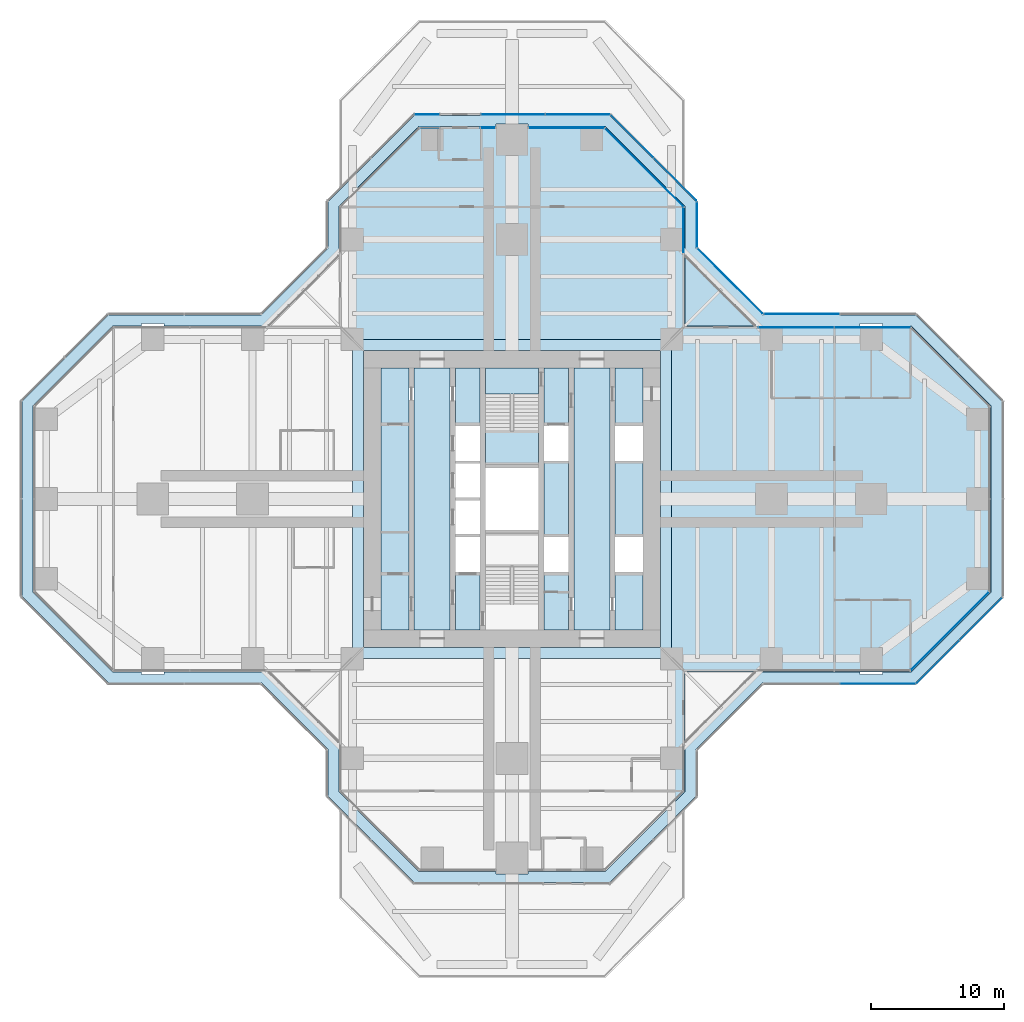
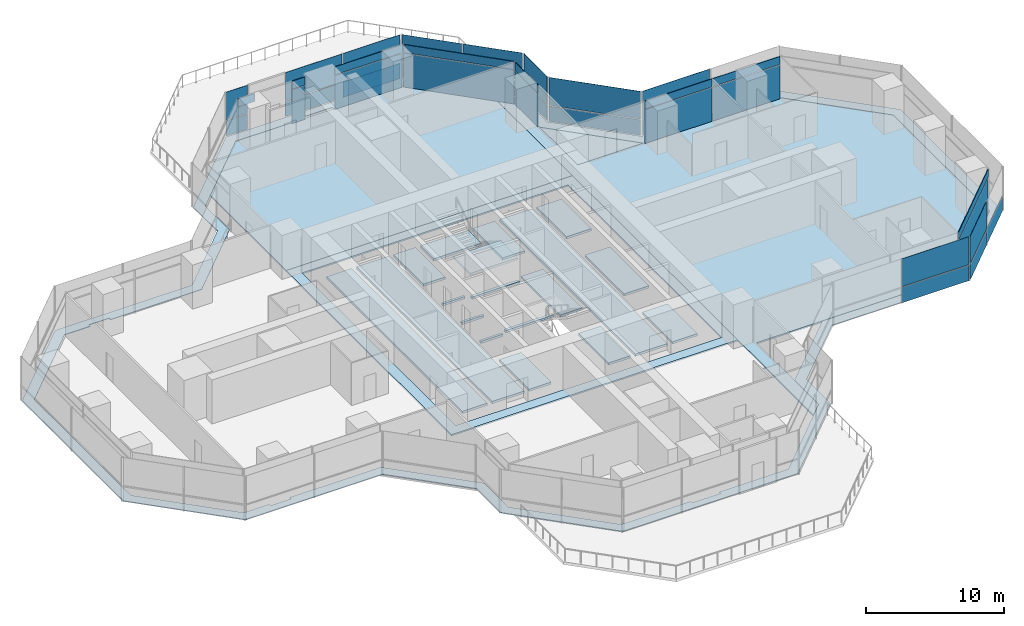
# One storey, part 15 of 21: 37 plates, 7 slabs, 16 elements without a shape of their own.
"""IFC4 building model written with IfcOpenShell, lengths in metres."""

from ifc_helpers import new_model, si_unit, direction, frame, origin, origin_2d, place, context, subcontext, project, spatial, polyline, rectangle, outline, extrude, material, layer, layer_set, type_object, element, aggregate, save


model = new_model("IFC4")

# Units and contexts
model_context = context("Model", 3, precision=1e-05, world=origin(), true_north=direction((0.0, 1.0)))
body_context = subcontext(model_context, "Body", "Model", "MODEL_VIEW")
ifc_project = project(units=[si_unit("LENGTHUNIT", "METRE"), si_unit("AREAUNIT", "SQUARE_METRE"), si_unit("VOLUMEUNIT", "CUBIC_METRE"), si_unit("PLANEANGLEUNIT", "RADIAN"), si_unit("MASSUNIT", "GRAM", prefix="KILO")], contexts=[model_context])

# Site, building, storey
site_placement = place(None, origin())
site = spatial("IfcSite", under=ifc_project, at=site_placement, CompositionType="ELEMENT")
building_placement = place(site_placement, origin())
building = spatial("IfcBuilding", under=site, at=building_placement, Name="Mizan Broadcast Tower", CompositionType="ELEMENT")
storey_placement = place(building_placement, frame((0.0, 0.0, 124.199951171875)))
storey = spatial("IfcBuildingStorey", under=building, at=storey_placement, Name="L27", CompositionType="ELEMENT", Elevation=124.199951171875)

# Plate
ifc_material_1 = material(Name="Aluminium grating", Category="aluminium")
ifc_layer_1 = layer(ifc_material_1, 0.050048828125)
ifc_layer_set_1 = layer_set([ifc_layer_1], Name="Aluminium grating")
plate_type_1 = type_object("IfcPlateType", Name="CAVITY GRATING", PredefinedType="USERDEFINED", material=ifc_layer_set_1)
plate_1_placement = place(storey_placement, frame((0.0, 0.0, -0.050048828125)))
element("IfcPlate", 1, at=plate_1_placement, inside=storey, type_object=plate_type_1, Name="Cavity grating L27", ObjectType="GRATING", PredefinedType="USERDEFINED", context=body_context, shape_type="SweptSolid", body=[
    extrude(outline(polyline([(13.820068359375, -18.839599609375), (18.839599609375, -13.820068359375), (30.339599609375, -13.820068359375), (36.820068359375, -7.339599609375), (36.820068359375, 7.339599609375), (30.339599609375, 13.820068359375), (18.839599609375, 13.820068359375), (13.820068359375, 18.839599609375), (13.820068359375, 22.339599609375), (7.339599609375, 28.820068359375), (-7.339599609375, 28.820068359375), (-13.820068359375, 22.339599609375), (-13.820068359375, 18.839599609375), (-18.839599609375, 13.820068359375), (-30.339599609375, 13.820068359375), (-36.820068359375, 7.339599609375), (-36.820068359375, -7.339599609375), (-30.339599609375, -13.820068359375), (-18.839599609375, -13.820068359375), (-13.820068359375, -18.839599609375), (-13.820068359375, -22.339599609375), (-7.339599609375, -28.820068359375), (7.339599609375, -28.820068359375), (13.820068359375, -22.339599609375), (13.820068359375, -18.839599609375)]), holes=[polyline([(36.0, 7.0), (36.0, -7.0), (30.0, -13.0), (27.85009765625, -13.0), (27.85009765625, -13.199951171875), (26.14990234375, -13.199951171875), (26.14990234375, -13.0), (18.5, -13.0), (13.0, -18.5), (13.0, -22.0), (7.0, -28.0), (1.199951171875, -28.0), (1.199951171875, -28.199951171875), (-1.199951171875, -28.199951171875), (-1.199951171875, -28.0), (-7.0, -28.0), (-13.0, -22.0), (-13.0, -18.5), (-18.5, -13.0), (-26.14990234375, -13.0), (-26.14990234375, -13.199951171875), (-27.85009765625, -13.199951171875), (-27.85009765625, -13.0), (-30.0, -13.0), (-36.0, -7.0), (-36.0, 7.0), (-30.0, 13.0), (-27.85009765625, 13.0), (-27.85009765625, 13.199951171875), (-26.14990234375, 13.199951171875), (-26.14990234375, 13.0), (-18.5, 13.0), (-13.0, 18.5), (-13.0, 22.0), (-7.0, 28.0), (-1.199951171875, 28.0), (-1.199951171875, 28.199951171875), (1.199951171875, 28.199951171875), (1.199951171875, 28.0), (7.0, 28.0), (13.0, 22.0), (13.0, 18.5), (18.5, 13.0), (26.14990234375, 13.0), (26.14990234375, 13.199951171875), (27.85009765625, 13.199951171875), (27.85009765625, 13.0), (30.0, 13.0), (36.0, 7.0)])]), origin(), (0.0, 0.0, 1.0), 0.050048828125),
])

# Slabs
ifc_material_2 = material(Name="Concrete C32/40", Category="concrete")
ifc_layer_2 = layer(ifc_material_2, 0.1298828125)
ifc_layer_set_2 = layer_set([ifc_layer_2], Name="Concrete C32/40")
slab_type_1 = type_object("IfcSlabType", Name="COMPOSITE DECK SLAB 130", PredefinedType="FLOOR", material=ifc_layer_set_2)
slab_1_placement = place(storey_placement, frame((0.0, 0.0, -0.1298828125)))
element("IfcSlab", 2, at=slab_1_placement, inside=storey, type_object=slab_type_1, Name="Floor slab L27 centre", PredefinedType="FLOOR", context=body_context, shape_type="SweptSolid", body=[
    extrude(outline(polyline([(-12.0, -12.0), (12.0, -12.0), (12.0, 12.0), (-12.0, 12.0), (-12.0, -12.0)]), holes=[polyline([(-11.14990234375, 11.14990234375), (11.14990234375, 11.14990234375), (11.14990234375, -11.14990234375), (-11.14990234375, -11.14990234375), (-11.14990234375, 11.14990234375)])]), origin(), (0.0, 0.0, 1.0), 0.1298828125),
])
slab_2_placement = place(storey_placement, frame((0.0, 0.0, -0.1298828125)))
element("IfcSlab", 3, at=slab_2_placement, inside=storey, type_object=slab_type_1, Name="Floor slab L27 east arm", PredefinedType="FLOOR", context=body_context, shape_type="SweptSolid", body=[
    extrude(outline(polyline([(12.0, -23.0), (13.0, -22.0), (13.0, -13.0), (30.0, -13.0), (36.0, -7.0), (36.0, 7.0), (30.0, 13.0), (13.0, 13.0), (13.0, 22.0), (12.0, 23.0), (12.0, -23.0)])), origin(), (0.0, 0.0, 1.0), 0.1298828125),
])
slab_3_placement = place(storey_placement, frame((0.0, 0.0, -0.1298828125)))
element("IfcSlab", 4, at=slab_3_placement, inside=storey, type_object=slab_type_1, Name="Floor slab L27 north arm", PredefinedType="FLOOR", context=body_context, shape_type="SweptSolid", body=[
    extrude(outline(polyline([(-7.0, 28.0), (-12.0, 23.0), (-12.0, 12.0), (12.0, 12.0), (12.0, 23.0), (7.0, 28.0), (-7.0, 28.0)])), origin(), (0.0, 0.0, 1.0), 0.1298828125),
])
ifc_material_3 = material(Name="Concrete C40/50", Category="concrete")
ifc_layer_3 = layer(ifc_material_3, 0.199951171875)
ifc_layer_set_3 = layer_set([ifc_layer_3], Name="Concrete C40/50")
slab_type_2 = type_object("IfcSlabType", Name="CORE FLOOR 200", PredefinedType="FLOOR", material=ifc_layer_set_3)
slab_4_placement = place(storey_placement, frame((0.0, 0.0, -0.199951171875)))
element("IfcSlab", 5, at=slab_4_placement, inside=storey, type_object=slab_type_2, Name="Core floor L27", PredefinedType="FLOOR", context=body_context, shape_type="SweptSolid", body=[
    extrude(outline(polyline([(-9.85009765625, -9.85009765625), (-7.75, -9.85009765625), (-7.75, 9.85009765625), (-9.85009765625, 9.85009765625), (-9.85009765625, -9.85009765625)])), origin(), (0.0, 0.0, 1.0), 0.199951171875),
    extrude(outline(polyline([(-4.64990234375, 9.85009765625), (-7.35009765625, 9.85009765625), (-7.35009765625, -9.85009765625), (-4.64990234375, -9.85009765625), (-4.64990234375, 9.85009765625)])), origin(), (0.0, 0.0, 1.0), 0.199951171875),
    extrude(outline(polyline([(-4.25, -5.5), (-4.25, -9.85009765625), (-2.39990234375, -9.85009765625), (-2.39990234375, -5.5), (-4.25, -5.5)])), origin(), (0.0, 0.0, 1.0), 0.199951171875),
    extrude(outline(polyline([(-4.25, -2.85009765625), (-2.39990234375, -2.85009765625), (-2.39990234375, -2.64990234375), (-4.25, -2.64990234375), (-4.25, -2.85009765625)])), origin(), (0.0, 0.0, 1.0), 0.199951171875),
    extrude(outline(polyline([(-4.25, -0.10009765625), (-2.39990234375, -0.10009765625), (-2.39990234375, 0.10009765625), (-4.25, 0.10009765625), (-4.25, -0.10009765625)])), origin(), (0.0, 0.0, 1.0), 0.199951171875),
    extrude(outline(polyline([(-4.25, 2.64990234375), (-2.39990234375, 2.64990234375), (-2.39990234375, 2.85009765625), (-4.25, 2.85009765625), (-4.25, 2.64990234375)])), origin(), (0.0, 0.0, 1.0), 0.199951171875),
    extrude(outline(polyline([(-4.25, 5.5), (-2.39990234375, 5.5), (-2.39990234375, 9.85009765625), (-4.25, 9.85009765625), (-4.25, 5.5)])), origin(), (0.0, 0.0, 1.0), 0.199951171875),
    extrude(outline(polyline([(2.0, -2.324951171875), (-2.0, -2.324951171875), (-2.0, -2.574951171875), (2.0, -2.574951171875), (2.0, -2.324951171875)])), origin(), (0.0, 0.0, 1.0), 0.199951171875),
    extrude(outline(polyline([(2.0, 2.574951171875), (-2.0, 2.574951171875), (-2.0, 2.324951171875), (2.0, 2.324951171875), (2.0, 2.574951171875)])), origin(), (0.0, 0.0, 1.0), 0.199951171875),
    extrude(outline(polyline([(4.25, -9.85009765625), (4.25, -5.5), (2.39990234375, -5.5), (2.39990234375, -9.85009765625), (4.25, -9.85009765625)])), origin(), (0.0, 0.0, 1.0), 0.199951171875),
    extrude(outline(polyline([(4.25, -2.85009765625), (4.25, 2.85009765625), (2.39990234375, 2.85009765625), (2.39990234375, -2.85009765625), (4.25, -2.85009765625)])), origin(), (0.0, 0.0, 1.0), 0.199951171875),
    extrude(outline(polyline([(4.25, 5.5), (4.25, 9.85009765625), (2.39990234375, 9.85009765625), (2.39990234375, 5.5), (4.25, 5.5)])), origin(), (0.0, 0.0, 1.0), 0.199951171875),
    extrude(outline(polyline([(4.64990234375, 9.85009765625), (4.64990234375, -9.85009765625), (7.35009765625, -9.85009765625), (7.35009765625, 9.85009765625), (4.64990234375, 9.85009765625)])), origin(), (0.0, 0.0, 1.0), 0.199951171875),
    extrude(outline(polyline([(9.85009765625, -9.85009765625), (9.85009765625, -5.5), (7.75, -5.5), (7.75, -9.85009765625), (9.85009765625, -9.85009765625)])), origin(), (0.0, 0.0, 1.0), 0.199951171875),
    extrude(outline(polyline([(7.75, -2.85009765625), (9.85009765625, -2.85009765625), (9.85009765625, 2.85009765625), (7.75, 2.85009765625), (7.75, -2.85009765625)])), origin(), (0.0, 0.0, 1.0), 0.199951171875),
    extrude(outline(polyline([(9.85009765625, 5.5), (9.85009765625, 9.85009765625), (7.75, 9.85009765625), (7.75, 5.5), (9.85009765625, 5.5)])), origin(), (0.0, 0.0, 1.0), 0.199951171875),
])

# Curtain wall, plate
ifc_material_4 = material(Name="Aluminium framed glazing", Category="aluminium")
curtain_wall_type_1 = type_object("IfcCurtainWallType", Name="INNER SKIN MID ZONE", PredefinedType="USERDEFINED", material=ifc_material_4)
curtain_wall_1_placement = place(storey_placement, origin())
curtain_wall_1 = element("IfcCurtainWall", 6, at=curtain_wall_1_placement, inside=storey, type_object=curtain_wall_type_1, Name="Inner skin mid zone L27 E chamfer", ObjectType="INNER SKIN MID ZONE", PredefinedType="USERDEFINED")
ifc_material_5 = material(Name="Double glazing, clear low-e", Category="glass")
ifc_layer_4 = layer(ifc_material_5, 0.028076171875)
ifc_layer_set_4 = layer_set([ifc_layer_4], Name="Double glazing, clear low-e")
plate_type_2 = type_object("IfcPlateType", Name="INNER SKIN GLAZING UNIT", PredefinedType="CURTAIN_PANEL", material=ifc_layer_set_4)
plate_2_placement = place(storey_placement, frame((32.92919921875, -9.92919921875, 0.0), z_axis=(0.0, 0.0, 1.0), x_axis=(0.707106781187, 0.707106781187, 0.0)))
plate_2 = element("IfcPlate", 7, at=plate_2_placement, type_object=plate_type_2, Name="Inner skin mid zone L27 E chamfer panel 1.1", PredefinedType="CURTAIN_PANEL", context=body_context, shape_type="SweptSolid", body=[
    extrude(rectangle(XDim=8.282470703125, YDim=0.028076171875, at=origin_2d()), origin(), (0.0, 0.0, 1.0), 3.0),
])

# Curtain wall, plates
curtain_wall_2_placement = place(storey_placement, origin())
curtain_wall_2 = element("IfcCurtainWall", 8, at=curtain_wall_2_placement, inside=storey, type_object=curtain_wall_type_1, Name="Inner skin mid zone L27 E side", ObjectType="INNER SKIN MID ZONE", PredefinedType="USERDEFINED")
plate_3_placement = place(storey_placement, frame((27.078857421875, 12.89990234375, 0.0), z_axis=(0.0, 0.0, 1.0), x_axis=(-1.0, 0.0, 0.0)))
plate_3 = element("IfcPlate", 9, at=plate_3_placement, type_object=plate_type_2, Name="Inner skin mid zone L27 E side panel 1.1", PredefinedType="CURTAIN_PANEL", context=body_context, shape_type="SweptSolid", body=[
    extrude(rectangle(XDim=5.639404296875, YDim=0.028076171875, at=origin_2d()), origin(), (0.0, 0.0, 1.0), 3.0),
])
plate_4_placement = place(storey_placement, frame((21.379638671875, 12.89990234375, 0.0), z_axis=(0.0, 0.0, 1.0), x_axis=(-1.0, 0.0, 0.0)))
plate_4 = element("IfcPlate", 10, at=plate_4_placement, type_object=plate_type_2, Name="Inner skin mid zone L27 E side panel 2.1", PredefinedType="CURTAIN_PANEL", context=body_context, shape_type="SweptSolid", body=[
    extrude(rectangle(XDim=5.639404296875, YDim=0.028076171875, at=origin_2d()), origin(), (0.0, 0.0, 1.0), 3.0),
])

# Curtain wall, plate
curtain_wall_3_placement = place(storey_placement, origin())
curtain_wall_3 = element("IfcCurtainWall", 11, at=curtain_wall_3_placement, inside=storey, type_object=curtain_wall_type_1, Name="Inner skin mid zone L27 N side", ObjectType="INNER SKIN MID ZONE", PredefinedType="USERDEFINED")
plate_5_placement = place(storey_placement, frame((12.89990234375, 20.229248046875, 0.0), z_axis=(0.0, 0.0, 1.0), x_axis=(0.0, 1.0, 0.0)))
plate_5 = element("IfcPlate", 12, at=plate_5_placement, type_object=plate_type_2, Name="Inner skin mid zone L27 N side panel 1.1", PredefinedType="CURTAIN_PANEL", context=body_context, shape_type="SweptSolid", body=[
    extrude(rectangle(XDim=3.338623046875, YDim=0.028076171875, at=origin_2d()), origin(), (0.0, 0.0, 1.0), 3.0),
])

curtain_wall_4_placement = place(storey_placement, origin())
curtain_wall_4 = element("IfcCurtainWall", 13, at=curtain_wall_4_placement, inside=storey, type_object=curtain_wall_type_1, Name="Inner skin mid zone L27 N chamfer", ObjectType="INNER SKIN MID ZONE", PredefinedType="USERDEFINED")
plate_6_placement = place(storey_placement, frame((9.92919921875, 24.92919921875, 0.0), z_axis=(0.0, 0.0, 1.0), x_axis=(-0.707106781187, 0.707106781187, 0.0)))
plate_6 = element("IfcPlate", 14, at=plate_6_placement, type_object=plate_type_2, Name="Inner skin mid zone L27 N chamfer panel 1.1", PredefinedType="CURTAIN_PANEL", context=body_context, shape_type="SweptSolid", body=[
    extrude(rectangle(XDim=8.282470703125, YDim=0.028076171875, at=origin_2d()), origin(), (0.0, 0.0, 1.0), 3.0),
])

curtain_wall_5_placement = place(storey_placement, origin())
curtain_wall_5 = element("IfcCurtainWall", 15, at=curtain_wall_5_placement, inside=storey, type_object=curtain_wall_type_1, Name="Inner skin mid zone L27 N end", ObjectType="INNER SKIN MID ZONE", PredefinedType="USERDEFINED")
plate_7_placement = place(storey_placement, frame((4.079345703125, 27.89990234375, 0.0), z_axis=(0.0, 0.0, 1.0), x_axis=(-1.0, 0.0, 0.0)))
plate_7 = element("IfcPlate", 16, at=plate_7_placement, type_object=plate_type_2, Name="Inner skin mid zone L27 N end panel 1.1", PredefinedType="CURTAIN_PANEL", context=body_context, shape_type="SweptSolid", body=[
    extrude(rectangle(XDim=5.638671875, YDim=0.028076171875, at=origin_2d()), origin(), (0.0, 0.0, 1.0), 3.0),
])

curtain_wall_6_placement = place(storey_placement, origin())
curtain_wall_6 = element("IfcCurtainWall", 17, at=curtain_wall_6_placement, inside=storey, type_object=curtain_wall_type_1, Name="Inner skin mid zone L27 N end", ObjectType="INNER SKIN MID ZONE", PredefinedType="USERDEFINED")
plate_8_placement = place(storey_placement, frame((-1.800048828125, 27.89990234375, 0.0), z_axis=(0.0, 0.0, 1.0), x_axis=(-1.0, 0.0, 0.0)))
plate_8 = element("IfcPlate", 18, at=plate_8_placement, type_object=plate_type_2, Name="Inner skin mid zone L27 N end panel 1.1", PredefinedType="CURTAIN_PANEL", context=body_context, shape_type="SweptSolid", body=[
    extrude(rectangle(XDim=1.080078125, YDim=0.028076171875, at=origin_2d()), origin(), (0.0, 0.0, 1.0), 3.0),
])

# Plate
ifc_material_6 = material(Name="Insulated aluminium spandrel panel, pale anodised", Category="aluminium")
ifc_layer_5 = layer(ifc_material_6, 0.050048828125)
ifc_layer_set_5 = layer_set([ifc_layer_5], Name="Insulated aluminium spandrel panel, pale anodised")
plate_type_3 = type_object("IfcPlateType", Name="INNER SKIN SPANDREL PANEL", PredefinedType="CURTAIN_PANEL", material=ifc_layer_set_5)
plate_9_placement = place(storey_placement, frame((32.92919921875, -9.92919921875, 3.06005859375), z_axis=(0.0, 0.0, 1.0), x_axis=(0.707106781187, 0.707106781187, 0.0)))
plate_9 = element("IfcPlate", 19, at=plate_9_placement, type_object=plate_type_3, Name="Inner skin mid zone L27 E chamfer panel 1.2", PredefinedType="CURTAIN_PANEL", context=body_context, shape_type="SweptSolid", body=[
    extrude(rectangle(XDim=8.282470703125, YDim=0.050048828125, at=origin_2d()), origin(), (0.0, 0.0, 1.0), 0.7099609375),
])

aggregate(curtain_wall_1, [plate_2, plate_9])

plate_10_placement = place(storey_placement, frame((27.078857421875, 12.89990234375, 3.06005859375), z_axis=(0.0, 0.0, 1.0), x_axis=(-1.0, 0.0, 0.0)))
plate_10 = element("IfcPlate", 20, at=plate_10_placement, type_object=plate_type_3, Name="Inner skin mid zone L27 E side panel 1.2", PredefinedType="CURTAIN_PANEL", context=body_context, shape_type="SweptSolid", body=[
    extrude(rectangle(XDim=5.639404296875, YDim=0.050048828125, at=origin_2d()), origin(), (0.0, 0.0, 1.0), 0.7099609375),
])

plate_11_placement = place(storey_placement, frame((21.379638671875, 12.89990234375, 3.06005859375), z_axis=(0.0, 0.0, 1.0), x_axis=(-1.0, 0.0, 0.0)))
plate_11 = element("IfcPlate", 21, at=plate_11_placement, type_object=plate_type_3, Name="Inner skin mid zone L27 E side panel 2.2", PredefinedType="CURTAIN_PANEL", context=body_context, shape_type="SweptSolid", body=[
    extrude(rectangle(XDim=5.639404296875, YDim=0.050048828125, at=origin_2d()), origin(), (0.0, 0.0, 1.0), 0.7099609375),
])

aggregate(curtain_wall_2, [plate_3, plate_10, plate_4, plate_11])

plate_12_placement = place(storey_placement, frame((12.89990234375, 20.229248046875, 3.06005859375), z_axis=(0.0, 0.0, 1.0), x_axis=(0.0, 1.0, 0.0)))
plate_12 = element("IfcPlate", 22, at=plate_12_placement, type_object=plate_type_3, Name="Inner skin mid zone L27 N side panel 1.2", PredefinedType="CURTAIN_PANEL", context=body_context, shape_type="SweptSolid", body=[
    extrude(rectangle(XDim=3.338623046875, YDim=0.050048828125, at=origin_2d()), origin(), (0.0, 0.0, 1.0), 0.7099609375),
])

aggregate(curtain_wall_3, [plate_5, plate_12])

plate_13_placement = place(storey_placement, frame((9.92919921875, 24.92919921875, 3.06005859375), z_axis=(0.0, 0.0, 1.0), x_axis=(-0.707106781187, 0.707106781187, 0.0)))
plate_13 = element("IfcPlate", 23, at=plate_13_placement, type_object=plate_type_3, Name="Inner skin mid zone L27 N chamfer panel 1.2", PredefinedType="CURTAIN_PANEL", context=body_context, shape_type="SweptSolid", body=[
    extrude(rectangle(XDim=8.282470703125, YDim=0.050048828125, at=origin_2d()), origin(), (0.0, 0.0, 1.0), 0.7099609375),
])

aggregate(curtain_wall_4, [plate_6, plate_13])

plate_14_placement = place(storey_placement, frame((4.079345703125, 27.89990234375, 3.06005859375), z_axis=(0.0, 0.0, 1.0), x_axis=(-1.0, 0.0, 0.0)))
plate_14 = element("IfcPlate", 24, at=plate_14_placement, type_object=plate_type_3, Name="Inner skin mid zone L27 N end panel 1.2", PredefinedType="CURTAIN_PANEL", context=body_context, shape_type="SweptSolid", body=[
    extrude(rectangle(XDim=5.638671875, YDim=0.050048828125, at=origin_2d()), origin(), (0.0, 0.0, 1.0), 0.7099609375),
])

aggregate(curtain_wall_5, [plate_7, plate_14])

plate_15_placement = place(storey_placement, frame((-1.800048828125, 27.89990234375, 3.06005859375), z_axis=(0.0, 0.0, 1.0), x_axis=(-1.0, 0.0, 0.0)))
plate_15 = element("IfcPlate", 25, at=plate_15_placement, type_object=plate_type_3, Name="Inner skin mid zone L27 N end panel 1.2", PredefinedType="CURTAIN_PANEL", context=body_context, shape_type="SweptSolid", body=[
    extrude(rectangle(XDim=1.080078125, YDim=0.050048828125, at=origin_2d()), origin(), (0.0, 0.0, 1.0), 0.7099609375),
])

aggregate(curtain_wall_6, [plate_8, plate_15])

# Curtain wall, plate
curtain_wall_7_placement = place(storey_placement, origin())
curtain_wall_7 = element("IfcCurtainWall", 26, at=curtain_wall_7_placement, inside=storey, type_object=curtain_wall_type_1, Name="Inner skin mid zone L27 N end", ObjectType="INNER SKIN MID ZONE", PredefinedType="USERDEFINED")
plate_16_placement = place(storey_placement, frame((-6.17919921875, 27.89990234375, 3.06005859375), z_axis=(0.0, 0.0, 1.0), x_axis=(-1.0, 0.0, 0.0)))
plate_16 = element("IfcPlate", 27, at=plate_16_placement, type_object=plate_type_3, Name="Inner skin mid zone L27 N end panel 1.2", PredefinedType="CURTAIN_PANEL", context=body_context, shape_type="SweptSolid", body=[
    extrude(rectangle(XDim=1.4384765625, YDim=0.050048828125, at=origin_2d()), origin(), (0.0, 0.0, 1.0), 0.7099609375),
])
aggregate(curtain_wall_7, [plate_16])

# Curtain wall, plates
ifc_material_7 = material(Name="Aluminium framed glazing", Category="aluminium")
curtain_wall_type_2 = type_object("IfcCurtainWallType", Name="OUTER SKIN", PredefinedType="USERDEFINED", material=ifc_material_7)
curtain_wall_8_placement = place(storey_placement, origin())
curtain_wall_8 = element("IfcCurtainWall", 28, at=curtain_wall_8_placement, inside=storey, type_object=curtain_wall_type_2, Name="Outer skin L27 E chamfer", ObjectType="OUTER SKIN", PredefinedType="USERDEFINED")
ifc_material_8 = material(Name="Laminated clear glass", Category="glass")
ifc_layer_6 = layer(ifc_material_8, 0.02001953125)
ifc_layer_set_6 = layer_set([ifc_layer_6], Name="Laminated clear glass")
plate_type_4 = type_object("IfcPlateType", Name="OUTER SKIN CLEAR GLASS", PredefinedType="CURTAIN_PANEL", material=ifc_layer_set_6)
plate_17_placement = place(storey_placement, frame((32.018798828125, -12.254150390625, 0.0), z_axis=(0.0, 0.0, 1.0), x_axis=(0.707106781187, 0.707106781187, 0.0)))
plate_17 = element("IfcPlate", 29, at=plate_17_placement, type_object=plate_type_4, Name="Outer skin L27 E chamfer panel 1.1", PredefinedType="CURTAIN_PANEL", context=body_context, shape_type="SweptSolid", body=[
    extrude(rectangle(XDim=4.495361328125, YDim=0.02001953125, at=origin_2d()), origin(), (0.0, 0.0, 1.0), 1.3701171875),
])
plate_18_placement = place(storey_placement, frame((32.018798828125, -12.254150390625, 1.43017578125), z_axis=(0.0, 0.0, 1.0), x_axis=(0.707106781187, 0.707106781187, 0.0)))
plate_18 = element("IfcPlate", 30, at=plate_18_placement, type_object=plate_type_4, Name="Outer skin L27 E chamfer panel 1.2", PredefinedType="CURTAIN_PANEL", context=body_context, shape_type="SweptSolid", body=[
    extrude(rectangle(XDim=4.495361328125, YDim=0.02001953125, at=origin_2d()), origin(), (0.0, 0.0, 1.0), 2.469970703125),
])

curtain_wall_9_placement = place(storey_placement, origin())
curtain_wall_9 = element("IfcCurtainWall", 31, at=curtain_wall_9_placement, inside=storey, type_object=curtain_wall_type_2, Name="Outer skin L27 E side", ObjectType="OUTER SKIN", PredefinedType="USERDEFINED")
plate_19_placement = place(storey_placement, frame((21.767822265625, 13.89990234375, 0.0), z_axis=(0.0, 0.0, 1.0), x_axis=(-1.0, 0.0, 0.0)))
plate_19 = element("IfcPlate", 32, at=plate_19_placement, type_object=plate_type_4, Name="Outer skin L27 E side panel 2.1", PredefinedType="CURTAIN_PANEL", context=body_context, shape_type="SweptSolid", body=[
    extrude(rectangle(XDim=5.6298828125, YDim=0.02001953125, at=origin_2d()), origin(), (0.0, 0.0, 1.0), 1.3701171875),
])
plate_20_placement = place(storey_placement, frame((21.767822265625, 13.89990234375, 1.43017578125), z_axis=(0.0, 0.0, 1.0), x_axis=(-1.0, 0.0, 0.0)))
plate_20 = element("IfcPlate", 33, at=plate_20_placement, type_object=plate_type_4, Name="Outer skin L27 E side panel 2.2", PredefinedType="CURTAIN_PANEL", context=body_context, shape_type="SweptSolid", body=[
    extrude(rectangle(XDim=5.6298828125, YDim=0.02001953125, at=origin_2d()), origin(), (0.0, 0.0, 1.0), 2.469970703125),
])
aggregate(curtain_wall_9, [plate_19, plate_20])

curtain_wall_10_placement = place(storey_placement, origin())
curtain_wall_10 = element("IfcCurtainWall", 34, at=curtain_wall_10_placement, inside=storey, type_object=curtain_wall_type_2, Name="Outer skin L27 E chamfer", ObjectType="OUTER SKIN", PredefinedType="USERDEFINED")
plate_21_placement = place(storey_placement, frame((16.386474609375, 16.386474609375, 0.0), z_axis=(0.0, 0.0, 1.0), x_axis=(-0.707106781187, 0.707106781187, 0.0)))
plate_21 = element("IfcPlate", 35, at=plate_21_placement, type_object=plate_type_4, Name="Outer skin L27 E chamfer panel 1.1", PredefinedType="CURTAIN_PANEL", context=body_context, shape_type="SweptSolid", body=[
    extrude(rectangle(XDim=6.87255859375, YDim=0.02001953125, at=origin_2d()), origin(), (0.0, 0.0, 1.0), 1.3701171875),
])
plate_22_placement = place(storey_placement, frame((16.386474609375, 16.386474609375, 1.43017578125), z_axis=(0.0, 0.0, 1.0), x_axis=(-0.707106781187, 0.707106781187, 0.0)))
plate_22 = element("IfcPlate", 36, at=plate_22_placement, type_object=plate_type_4, Name="Outer skin L27 E chamfer panel 1.2", PredefinedType="CURTAIN_PANEL", context=body_context, shape_type="SweptSolid", body=[
    extrude(rectangle(XDim=6.87255859375, YDim=0.02001953125, at=origin_2d()), origin(), (0.0, 0.0, 1.0), 2.469970703125),
])
aggregate(curtain_wall_10, [plate_21, plate_22])

curtain_wall_11_placement = place(storey_placement, origin())
curtain_wall_11 = element("IfcCurtainWall", 37, at=curtain_wall_11_placement, inside=storey, type_object=curtain_wall_type_2, Name="Outer skin L27 N side", ObjectType="OUTER SKIN", PredefinedType="USERDEFINED")
plate_23_placement = place(storey_placement, frame((13.89990234375, 20.622802734375, 0.0), z_axis=(0.0, 0.0, 1.0), x_axis=(0.0, 1.0, 0.0)))
plate_23 = element("IfcPlate", 38, at=plate_23_placement, type_object=plate_type_4, Name="Outer skin L27 N side panel 1.1", PredefinedType="CURTAIN_PANEL", context=body_context, shape_type="SweptSolid", body=[
    extrude(rectangle(XDim=3.340087890625, YDim=0.02001953125, at=origin_2d()), origin(), (0.0, 0.0, 1.0), 1.3701171875),
])
plate_24_placement = place(storey_placement, frame((13.89990234375, 20.622802734375, 1.43017578125), z_axis=(0.0, 0.0, 1.0), x_axis=(0.0, 1.0, 0.0)))
plate_24 = element("IfcPlate", 39, at=plate_24_placement, type_object=plate_type_4, Name="Outer skin L27 N side panel 1.2", PredefinedType="CURTAIN_PANEL", context=body_context, shape_type="SweptSolid", body=[
    extrude(rectangle(XDim=3.340087890625, YDim=0.02001953125, at=origin_2d()), origin(), (0.0, 0.0, 1.0), 2.469970703125),
])
aggregate(curtain_wall_11, [plate_23, plate_24])

curtain_wall_12_placement = place(storey_placement, origin())
curtain_wall_12 = element("IfcCurtainWall", 40, at=curtain_wall_12_placement, inside=storey, type_object=curtain_wall_type_2, Name="Outer skin L27 N chamfer", ObjectType="OUTER SKIN", PredefinedType="USERDEFINED")
plate_25_placement = place(storey_placement, frame((12.254150390625, 24.018798828125, 0.0), z_axis=(0.0, 0.0, 1.0), x_axis=(-0.707106781187, 0.707106781187, 0.0)))
plate_25 = element("IfcPlate", 41, at=plate_25_placement, type_object=plate_type_4, Name="Outer skin L27 N chamfer panel 1.1", PredefinedType="CURTAIN_PANEL", context=body_context, shape_type="SweptSolid", body=[
    extrude(rectangle(XDim=4.495361328125, YDim=0.02001953125, at=origin_2d()), origin(), (0.0, 0.0, 1.0), 1.3701171875),
])
plate_26_placement = place(storey_placement, frame((12.254150390625, 24.018798828125, 1.43017578125), z_axis=(0.0, 0.0, 1.0), x_axis=(-0.707106781187, 0.707106781187, 0.0)))
plate_26 = element("IfcPlate", 42, at=plate_26_placement, type_object=plate_type_4, Name="Outer skin L27 N chamfer panel 1.2", PredefinedType="CURTAIN_PANEL", context=body_context, shape_type="SweptSolid", body=[
    extrude(rectangle(XDim=4.495361328125, YDim=0.02001953125, at=origin_2d()), origin(), (0.0, 0.0, 1.0), 2.469970703125),
])

curtain_wall_13_placement = place(storey_placement, origin())
curtain_wall_13 = element("IfcCurtainWall", 43, at=curtain_wall_13_placement, inside=storey, type_object=curtain_wall_type_2, Name="Outer skin L27 N end", ObjectType="OUTER SKIN", PredefinedType="USERDEFINED")
plate_27_placement = place(storey_placement, frame((4.90966796875, 28.89990234375, 0.0), z_axis=(0.0, 0.0, 1.0), x_axis=(-1.0, 0.0, 0.0)))
plate_27 = element("IfcPlate", 44, at=plate_27_placement, type_object=plate_type_4, Name="Outer skin L27 N end panel 1.1", PredefinedType="CURTAIN_PANEL", context=body_context, shape_type="SweptSolid", body=[
    extrude(rectangle(XDim=4.766357421875, YDim=0.02001953125, at=origin_2d()), origin(), (0.0, 0.0, 1.0), 1.3701171875),
])
plate_28_placement = place(storey_placement, frame((4.90966796875, 28.89990234375, 1.43017578125), z_axis=(0.0, 0.0, 1.0), x_axis=(-1.0, 0.0, 0.0)))
plate_28 = element("IfcPlate", 45, at=plate_28_placement, type_object=plate_type_4, Name="Outer skin L27 N end panel 1.2", PredefinedType="CURTAIN_PANEL", context=body_context, shape_type="SweptSolid", body=[
    extrude(rectangle(XDim=4.766357421875, YDim=0.02001953125, at=origin_2d()), origin(), (0.0, 0.0, 1.0), 2.469970703125),
])
plate_29_placement = place(storey_placement, frame((0.063232421875, 28.89990234375, 0.0), z_axis=(0.0, 0.0, 1.0), x_axis=(-1.0, 0.0, 0.0)))
plate_29 = element("IfcPlate", 46, at=plate_29_placement, type_object=plate_type_4, Name="Outer skin L27 N end panel 2.1", PredefinedType="CURTAIN_PANEL", context=body_context, shape_type="SweptSolid", body=[
    extrude(rectangle(XDim=4.766357421875, YDim=0.02001953125, at=origin_2d()), origin(), (0.0, 0.0, 1.0), 1.3701171875),
])
plate_30_placement = place(storey_placement, frame((0.063232421875, 28.89990234375, 1.43017578125), z_axis=(0.0, 0.0, 1.0), x_axis=(-1.0, 0.0, 0.0)))
plate_30 = element("IfcPlate", 47, at=plate_30_placement, type_object=plate_type_4, Name="Outer skin L27 N end panel 2.2", PredefinedType="CURTAIN_PANEL", context=body_context, shape_type="SweptSolid", body=[
    extrude(rectangle(XDim=4.766357421875, YDim=0.02001953125, at=origin_2d()), origin(), (0.0, 0.0, 1.0), 2.469970703125),
])
aggregate(curtain_wall_13, [plate_27, plate_28, plate_29, plate_30])

curtain_wall_14_placement = place(storey_placement, origin())
curtain_wall_14 = element("IfcCurtainWall", 48, at=curtain_wall_14_placement, inside=storey, type_object=curtain_wall_type_2, Name="Outer skin L27 N end", ObjectType="OUTER SKIN", PredefinedType="USERDEFINED")
plate_31_placement = place(storey_placement, frame((-6.386474609375, 28.89990234375, 0.0), z_axis=(0.0, 0.0, 1.0), x_axis=(-1.0, 0.0, 0.0)))
plate_31 = element("IfcPlate", 49, at=plate_31_placement, type_object=plate_type_4, Name="Outer skin L27 N end panel 1.1", PredefinedType="CURTAIN_PANEL", context=body_context, shape_type="SweptSolid", body=[
    extrude(rectangle(XDim=1.812744140625, YDim=0.02001953125, at=origin_2d()), origin(), (0.0, 0.0, 1.0), 1.3701171875),
])
plate_32_placement = place(storey_placement, frame((-6.386474609375, 28.89990234375, 1.43017578125), z_axis=(0.0, 0.0, 1.0), x_axis=(-1.0, 0.0, 0.0)))
plate_32 = element("IfcPlate", 50, at=plate_32_placement, type_object=plate_type_4, Name="Outer skin L27 N end panel 1.2", PredefinedType="CURTAIN_PANEL", context=body_context, shape_type="SweptSolid", body=[
    extrude(rectangle(XDim=1.812744140625, YDim=0.02001953125, at=origin_2d()), origin(), (0.0, 0.0, 1.0), 2.469970703125),
])
aggregate(curtain_wall_14, [plate_31, plate_32])

# Plate
ifc_material_9 = material(Name="Perforated aluminium, pale anodised", Category="aluminium")
ifc_layer_7 = layer(ifc_material_9, 0.011962890625)
ifc_layer_set_7 = layer_set([ifc_layer_7], Name="Perforated aluminium, pale anodised")
plate_type_5 = type_object("IfcPlateType", Name="OUTER SKIN PERFORATED SCREEN", PredefinedType="USERDEFINED", material=ifc_layer_set_7)
plate_33_placement = place(storey_placement, frame((35.254150390625, -9.018798828125, 0.0), z_axis=(0.0, 0.0, 1.0), x_axis=(0.707106781187, 0.707106781187, 0.0)))
plate_33 = element("IfcPlate", 51, at=plate_33_placement, type_object=plate_type_5, Name="Outer skin L27 E chamfer panel 2.1", ObjectType="SCREEN", PredefinedType="USERDEFINED", context=body_context, shape_type="SweptSolid", body=[
    extrude(rectangle(XDim=4.495361328125, YDim=0.011962890625, at=origin_2d()), origin(), (0.0, 0.0, 1.0), 1.3701171875),
])

aggregate(curtain_wall_8, [plate_17, plate_18, plate_33])

plate_34_placement = place(storey_placement, frame((9.018798828125, 27.254150390625, 0.0), z_axis=(0.0, 0.0, 1.0), x_axis=(-0.707106781187, 0.707106781187, 0.0)))
plate_34 = element("IfcPlate", 52, at=plate_34_placement, type_object=plate_type_5, Name="Outer skin L27 N chamfer panel 2.1", ObjectType="SCREEN", PredefinedType="USERDEFINED", context=body_context, shape_type="SweptSolid", body=[
    extrude(rectangle(XDim=4.495361328125, YDim=0.011962890625, at=origin_2d()), origin(), (0.0, 0.0, 1.0), 1.3701171875),
])

plate_35_placement = place(storey_placement, frame((9.018798828125, 27.254150390625, 1.43017578125), z_axis=(0.0, 0.0, 1.0), x_axis=(-0.707106781187, 0.707106781187, 0.0)))
plate_35 = element("IfcPlate", 53, at=plate_35_placement, type_object=plate_type_5, Name="Outer skin L27 N chamfer panel 2.2", ObjectType="SCREEN", PredefinedType="USERDEFINED", context=body_context, shape_type="SweptSolid", body=[
    extrude(rectangle(XDim=4.495361328125, YDim=0.011962890625, at=origin_2d()), origin(), (0.0, 0.0, 1.0), 2.469970703125),
])

aggregate(curtain_wall_12, [plate_25, plate_26, plate_34, plate_35])

# Curtain wall, plates
curtain_wall_15_placement = place(storey_placement, origin())
curtain_wall_15 = element("IfcCurtainWall", 54, at=curtain_wall_15_placement, inside=storey, type_object=curtain_wall_type_2, Name="Outer skin L27 E side", ObjectType="OUTER SKIN", PredefinedType="USERDEFINED")
plate_36_placement = place(storey_placement, frame((27.477783203125, -13.89990234375, 0.0), z_axis=(0.0, 0.0, 1.0), x_axis=(1.0, 0.0, 0.0)))
plate_36 = element("IfcPlate", 55, at=plate_36_placement, type_object=plate_type_5, Name="Outer skin L27 E side panel 2.1", ObjectType="SCREEN", PredefinedType="USERDEFINED", context=body_context, shape_type="SweptSolid", body=[
    extrude(rectangle(XDim=5.6298828125, YDim=0.011962890625, at=origin_2d()), origin(), (0.0, 0.0, 1.0), 1.3701171875),
])
plate_37_placement = place(storey_placement, frame((27.477783203125, -13.89990234375, 1.43017578125), z_axis=(0.0, 0.0, 1.0), x_axis=(1.0, 0.0, 0.0)))
plate_37 = element("IfcPlate", 56, at=plate_37_placement, type_object=plate_type_5, Name="Outer skin L27 E side panel 2.2", ObjectType="SCREEN", PredefinedType="USERDEFINED", context=body_context, shape_type="SweptSolid", body=[
    extrude(rectangle(XDim=5.6298828125, YDim=0.011962890625, at=origin_2d()), origin(), (0.0, 0.0, 1.0), 2.469970703125),
])
aggregate(curtain_wall_15, [plate_36, plate_37])

# Stair, slabs
ifc_material_10 = material(Name="Concrete C40/50", Category="concrete")
stair_type = type_object("IfcStairType", Name="EXIT STAIR", PredefinedType="HALF_TURN_STAIR", material=ifc_material_10)
stair_placement = place(storey_placement, origin())
stair = element("IfcStair", 57, at=stair_placement, inside=storey, type_object=stair_type, Name="Stair B L27", PredefinedType="HALF_TURN_STAIR")
ifc_material_11 = material(Name="Concrete C40/50", Category="concrete")
ifc_layer_8 = layer(ifc_material_11, 0.199951171875)
ifc_layer_set_8 = layer_set([ifc_layer_8], Name="Concrete C40/50")
slab_type_3 = type_object("IfcSlabType", Name="STAIR LANDING 200", PredefinedType="LANDING", material=ifc_layer_set_8)
slab_5_placement = place(storey_placement, frame((0.0, 0.0, -0.199951171875)))
slab_5 = element("IfcSlab", 58, at=slab_5_placement, type_object=slab_type_3, Name="B landing 1", PredefinedType="LANDING", context=body_context, shape_type="SweptSolid", body=[
    extrude(outline(polyline([(2.0, 9.85009765625), (2.0, 7.89990234375), (-2.0, 7.89990234375), (-2.0, 9.85009765625), (2.0, 9.85009765625)])), origin(), (0.0, 0.0, 1.0), 0.199951171875),
])
slab_6_placement = place(storey_placement, frame((0.0, 0.0, 1.75)))
slab_6 = element("IfcSlab", 59, at=slab_6_placement, type_object=slab_type_3, Name="B landing 2", PredefinedType="LANDING", context=body_context, shape_type="SweptSolid", body=[
    extrude(outline(polyline([(2.0, 5.10009765625), (2.0, 2.574951171875), (-2.0, 2.574951171875), (-2.0, 5.10009765625), (2.0, 5.10009765625)])), origin(), (0.0, 0.0, 1.0), 0.199951171875),
])
aggregate(stair, [slab_5, slab_6])

# Slab
ifc_material_12 = material(Name="Concrete C32/40", Category="concrete")
ifc_layer_9 = layer(ifc_material_12, 0.1298828125)
ifc_layer_set_9 = layer_set([ifc_layer_9], Name="Concrete C32/40")
slab_type_4 = type_object("IfcSlabType", Name="WINTER GARDEN SLAB 130", PredefinedType="FLOOR", material=ifc_layer_set_9)
slab_7_placement = place(storey_placement, frame((0.0, 0.0, -0.1298828125)))
element("IfcSlab", 60, at=slab_7_placement, inside=storey, type_object=slab_type_4, Name="Winter garden slab L27 E", PredefinedType="FLOOR", context=body_context, shape_type="SweptSolid", body=[
    extrude(outline(polyline([(13.0, 13.0), (18.5, 13.0), (13.0, 18.5), (13.0, 13.0)])), origin(), (0.0, 0.0, 1.0), 0.1298828125),
])

save(model, "model.ifc")
